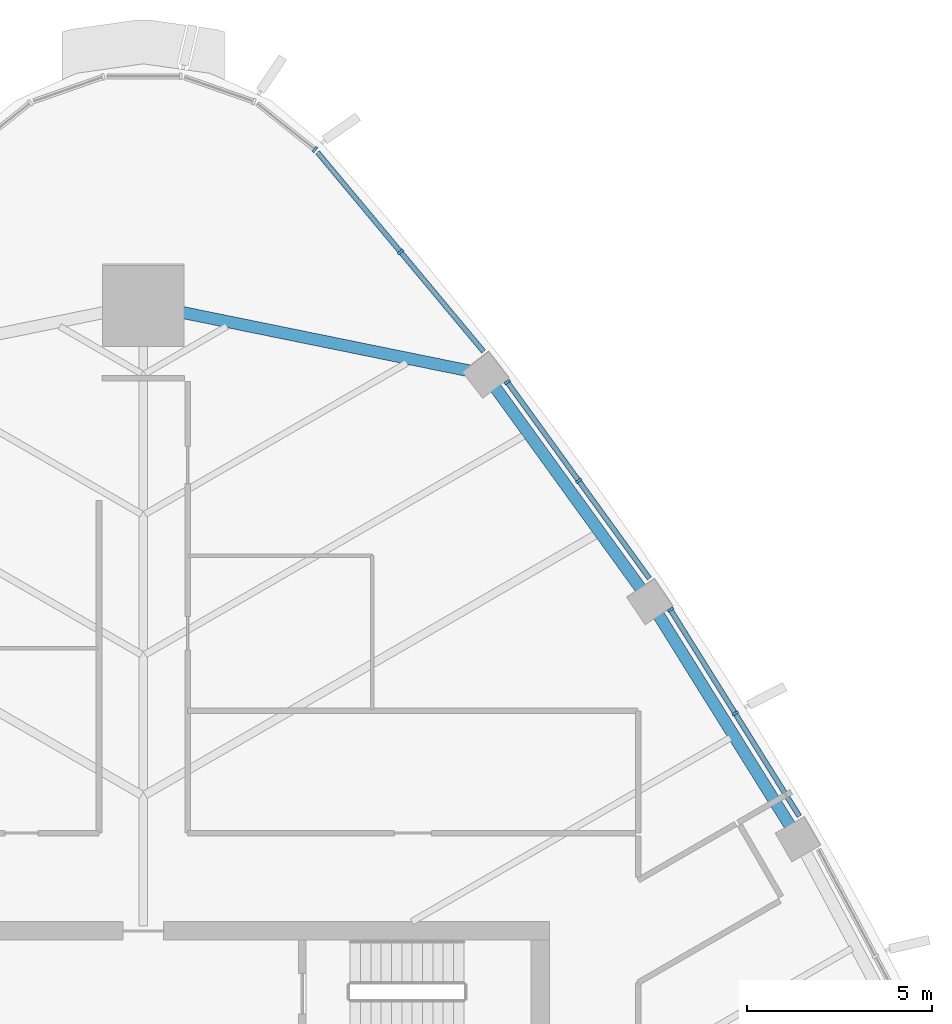
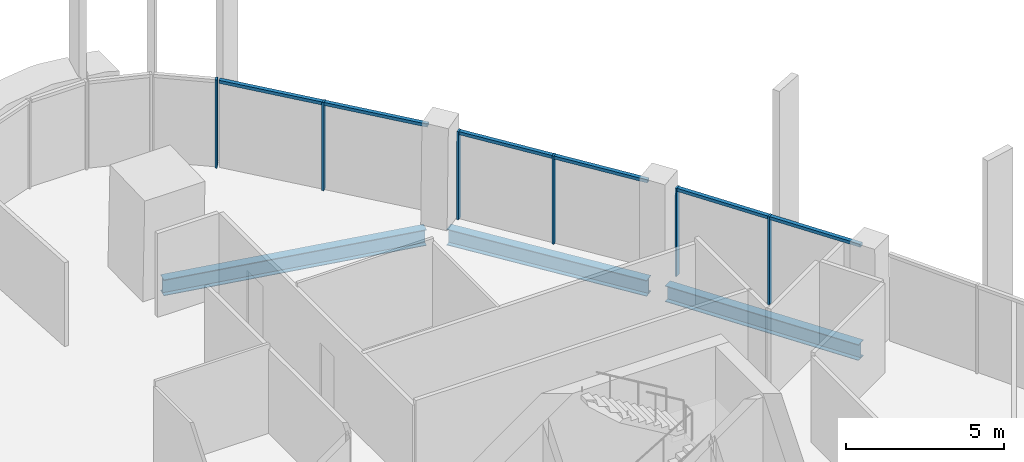
# One storey, part 6 of 18: 12 members, 3 beams, 4 elements without a shape of their own.
"""IFC4 building model written with IfcOpenShell, lengths in metres."""

from ifc_helpers import new_model, si_unit, direction, frame, origin, origin_2d, place, context, subcontext, project, spatial, rectangle, i_section, extrude, material, layer, layer_set, material_profile, profile_set, type_object, element, aggregate, save


model = new_model("IFC4")

# Units and contexts
model_context = context("Model", 3, precision=1e-05, world=origin(), true_north=direction((0.0, 1.0)))
body_context = subcontext(model_context, "Body", "Model", "MODEL_VIEW")
ifc_project = project(units=[si_unit("LENGTHUNIT", "METRE"), si_unit("AREAUNIT", "SQUARE_METRE"), si_unit("VOLUMEUNIT", "CUBIC_METRE"), si_unit("PLANEANGLEUNIT", "RADIAN"), si_unit("MASSUNIT", "GRAM", prefix="KILO")], contexts=[model_context])

# Site, building, storey
site_placement = place(None, origin())
site = spatial("IfcSite", under=ifc_project, at=site_placement, CompositionType="ELEMENT")
building_placement = place(site_placement, origin())
building = spatial("IfcBuilding", under=site, at=building_placement, Name="Sierra Prisma Convention Tower", CompositionType="ELEMENT")
storey_placement = place(building_placement, frame((0.0, 0.0, 263.0)))
storey = spatial("IfcBuildingStorey", under=building, at=storey_placement, Name="L59", CompositionType="ELEMENT", Elevation=263.0)

# Curtain wall, members
ifc_material_1 = material(Name="Aluminium and glass curtain wall", Category="aluminium")
ifc_layer = layer(ifc_material_1, 0.179931640625)
ifc_layer_set = layer_set([ifc_layer], Name="CW-1 Plain shaft curtain wall")
curtain_wall_type = type_object("IfcCurtainWallType", Name="CW-1 Plain shaft curtain wall", PredefinedType="NOTDEFINED", material=ifc_layer_set)
curtain_wall_1_placement = place(storey_placement, origin())
curtain_wall_1 = element("IfcCurtainWall", 1, at=curtain_wall_1_placement, inside=storey, type_object=curtain_wall_type, Name="CW-1 NE4 L59", PredefinedType="NOTDEFINED")
ifc_material_2 = material(Name="Aluminium 6063-T6 bronze anodised", Category="aluminium")
ifc_material_profile_1 = material_profile(ifc_material_2, rectangle(XDim=0.179931640625, YDim=0.070068359375, at=origin_2d()), Name="ALU MULLION 70x180")
ifc_profile_set_1 = profile_set([ifc_material_profile_1], Name="Aluminium 6063-T6 bronze anodised")
member_type_1 = type_object("IfcMemberType", Name="CW mullion bronze", PredefinedType="MULLION", material=ifc_profile_set_1)
member_1_placement = place(storey_placement, frame((16.025390625, 13.637451171875, 0.0), z_axis=(0.0, 0.0, 1.0), x_axis=(-0.84839082513, -0.529370388136, 0.0)))
member_1 = element("IfcMember", 2, at=member_1_placement, type_object=member_type_1, Name="CW-1 mullion NE4.2", PredefinedType="MULLION", context=body_context, shape_type="SweptSolid", body=[
    extrude(rectangle(XDim=0.179931640625, YDim=0.070068359375, at=origin_2d()), origin(), (0.0, 0.0, 1.0), 3.39990234375),
])
member_2_placement = place(storey_placement, frame((14.2705078125, 16.44970703125, 0.0), z_axis=(0.0, 0.0, 1.0), x_axis=(-0.84839082513, -0.529370388136, 0.0)))
member_2 = element("IfcMember", 3, at=member_2_placement, type_object=member_type_1, Name="CW-1 mullion NE4.3", PredefinedType="MULLION", context=body_context, shape_type="SweptSolid", body=[
    extrude(rectangle(XDim=0.179931640625, YDim=0.070068359375, at=origin_2d()), origin(), (0.0, 0.0, 1.0), 3.39990234375),
])

curtain_wall_2_placement = place(storey_placement, origin())
curtain_wall_2 = element("IfcCurtainWall", 4, at=curtain_wall_2_placement, inside=storey, type_object=curtain_wall_type, Name="CW-1 NE5 L59", PredefinedType="NOTDEFINED")
member_3_placement = place(storey_placement, frame((11.788818359375, 19.9375, 0.0), z_axis=(0.0, 0.0, 1.0), x_axis=(-0.810156522746, -0.586213620323, 0.0)))
member_3 = element("IfcMember", 5, at=member_3_placement, type_object=member_type_1, Name="CW-1 mullion NE5.2", PredefinedType="MULLION", context=body_context, shape_type="SweptSolid", body=[
    extrude(rectangle(XDim=0.179931640625, YDim=0.070068359375, at=origin_2d()), origin(), (0.0, 0.0, 1.0), 3.39990234375),
])
member_4_placement = place(storey_placement, frame((9.854248046875, 22.61083984375, 0.0), z_axis=(0.0, 0.0, 1.0), x_axis=(-0.810156522746, -0.586213620323, 0.0)))
member_4 = element("IfcMember", 6, at=member_4_placement, type_object=member_type_1, Name="CW-1 mullion NE5.3", PredefinedType="MULLION", context=body_context, shape_type="SweptSolid", body=[
    extrude(rectangle(XDim=0.179931640625, YDim=0.070068359375, at=origin_2d()), origin(), (0.0, 0.0, 1.0), 3.39990234375),
])

# Curtain wall, member
curtain_wall_3_placement = place(storey_placement, origin())
curtain_wall_3 = element("IfcCurtainWall", 7, at=curtain_wall_3_placement, inside=storey, type_object=curtain_wall_type, Name="CW-1 NE6 L59", PredefinedType="NOTDEFINED")
member_5_placement = place(storey_placement, frame((6.96435546875, 26.134033203125, 0.0), z_axis=(0.0, 0.0, 1.0), x_axis=(-0.76812014371, -0.640305743241, 0.0)))
member_5 = element("IfcMember", 8, at=member_5_placement, type_object=member_type_1, Name="CW-1 mullion NE6.2", PredefinedType="MULLION", context=body_context, shape_type="SweptSolid", body=[
    extrude(rectangle(XDim=0.179931640625, YDim=0.070068359375, at=origin_2d()), origin(), (0.0, 0.0, 1.0), 3.39990234375),
])

curtain_wall_4_placement = place(storey_placement, origin())
curtain_wall_4 = element("IfcCurtainWall", 9, at=curtain_wall_4_placement, inside=storey, type_object=curtain_wall_type, Name="CW-1 N1 L59", PredefinedType="NOTDEFINED")
member_6_placement = place(storey_placement, frame((4.64404296875, 28.906494140625, 0.0), z_axis=(0.0, 0.0, 1.0), x_axis=(-0.623578964782, -0.781760369091, 0.0)))
member_6 = element("IfcMember", 10, at=member_6_placement, type_object=member_type_1, Name="CW-1 mullion N1.1", PredefinedType="MULLION", context=body_context, shape_type="SweptSolid", body=[
    extrude(rectangle(XDim=0.179931640625, YDim=0.070068359375, at=origin_2d()), origin(), (0.0, 0.0, 1.0), 3.39990234375),
])
aggregate(curtain_wall_4, [member_6])

# Member
ifc_material_3 = material(Name="Aluminium 6063-T6 bronze anodised", Category="aluminium")
ifc_material_profile_2 = material_profile(ifc_material_3, rectangle(XDim=0.139892578125, YDim=0.1201171875, at=origin_2d()), Name="ALU TRANSOM 120x140")
ifc_profile_set_2 = profile_set([ifc_material_profile_2], Name="Aluminium 6063-T6 bronze anodised")
member_type_2 = type_object("IfcMemberType", Name="CW transom bronze", PredefinedType="USERDEFINED", material=ifc_profile_set_2)
member_7_placement = place(storey_placement, frame((17.761474609375, 10.854736328125, 3.340087890625), z_axis=(-0.529376602052, 0.848386947802, 0.0), x_axis=(-0.848386947802, -0.529376602052, 0.0)))
member_7 = element("IfcMember", 11, at=member_7_placement, type_object=member_type_2, Name="CW-1 transom NE4.1", ObjectType="TRANSOM", PredefinedType="USERDEFINED", context=body_context, shape_type="SweptSolid", body=[
    extrude(rectangle(XDim=0.139892578125, YDim=0.1201171875, at=origin_2d()), origin(), (0.0, 0.0, 1.0), 3.244873046875),
])

member_8_placement = place(storey_placement, frame((16.0068359375, 13.6669921875, 3.340087890625), z_axis=(-0.529376602052, 0.848386947802, 0.0), x_axis=(-0.848386947802, -0.529376602052, 0.0)))
member_8 = element("IfcMember", 12, at=member_8_placement, type_object=member_type_2, Name="CW-1 transom NE4.2", ObjectType="TRANSOM", PredefinedType="USERDEFINED", context=body_context, shape_type="SweptSolid", body=[
    extrude(rectangle(XDim=0.139892578125, YDim=0.1201171875, at=origin_2d()), origin(), (0.0, 0.0, 1.0), 3.244873046875),
])

aggregate(curtain_wall_1, [member_1, member_2, member_7, member_8])

member_9_placement = place(storey_placement, frame((13.70263671875, 17.29248046875, 3.340087890625), z_axis=(-0.586196856002, 0.810168652821, 0.0), x_axis=(-0.810168652821, -0.586196856002, 0.0)))
member_9 = element("IfcMember", 13, at=member_9_placement, type_object=member_type_2, Name="CW-1 transom NE5.1", ObjectType="TRANSOM", PredefinedType="USERDEFINED", context=body_context, shape_type="SweptSolid", body=[
    extrude(rectangle(XDim=0.139892578125, YDim=0.1201171875, at=origin_2d()), origin(), (0.0, 0.0, 1.0), 3.229736328125),
])

member_10_placement = place(storey_placement, frame((11.768310546875, 19.9658203125, 3.340087890625), z_axis=(-0.586246467654, 0.810132754037, 0.0), x_axis=(-0.810132754037, -0.586246467654, 0.0)))
member_10 = element("IfcMember", 14, at=member_10_placement, type_object=member_type_2, Name="CW-1 transom NE5.2", ObjectType="TRANSOM", PredefinedType="USERDEFINED", context=body_context, shape_type="SweptSolid", body=[
    extrude(rectangle(XDim=0.139892578125, YDim=0.1201171875, at=origin_2d()), origin(), (0.0, 0.0, 1.0), 3.22998046875),
])

aggregate(curtain_wall_2, [member_3, member_4, member_9, member_10])

member_11_placement = place(storey_placement, frame((9.21240234375, 23.437255859375, 3.340087890625), z_axis=(-0.640294932448, 0.768129155469, 0.0), x_axis=(-0.768129155469, -0.640294932448, 0.0)))
member_11 = element("IfcMember", 15, at=member_11_placement, type_object=member_type_2, Name="CW-1 transom NE6.1", ObjectType="TRANSOM", PredefinedType="USERDEFINED", context=body_context, shape_type="SweptSolid", body=[
    extrude(rectangle(XDim=0.139892578125, YDim=0.1201171875, at=origin_2d()), origin(), (0.0, 0.0, 1.0), 3.475830078125),
])

member_12_placement = place(storey_placement, frame((6.94189453125, 26.1611328125, 3.340087890625), z_axis=(-0.640329479051, 0.768100356892, 0.0), x_axis=(-0.768100356892, -0.640329479051, 0.0)))
member_12 = element("IfcMember", 16, at=member_12_placement, type_object=member_type_2, Name="CW-1 transom NE6.2", ObjectType="TRANSOM", PredefinedType="USERDEFINED", context=body_context, shape_type="SweptSolid", body=[
    extrude(rectangle(XDim=0.139892578125, YDim=0.1201171875, at=origin_2d()), origin(), (0.0, 0.0, 1.0), 3.4755859375),
])

aggregate(curtain_wall_3, [member_5, member_11, member_12])

# Beams
ifc_material_4 = material(Name="Steel ASTM A992 Gr 50", Category="steel")
ifc_material_profile_3 = material_profile(ifc_material_4, i_section(OverallWidth=0.324951171875, OverallDepth=0.615966796875, WebThickness=0.013916015625, FlangeThickness=0.021484375, at=origin_2d()), Name="W610x174")
ifc_profile_set_3 = profile_set([ifc_material_profile_3], Name="Steel ASTM A992 Gr 50")
beam_type = type_object("IfcBeamType", Name="Spandrel beam W610x174", PredefinedType="BEAM", material=ifc_profile_set_3)
for number, where, z_axis, x_axis, name in (
    (17, (17.558837890625, 10.518798828125, -0.4580078125), (-0.52936519169, 0.848394067534, 0.0), (-0.848394067534, -0.52936519169, 0.0), "Spandrel L59-10"),
    (18, (13.5234375, 16.943359375, -0.4580078125), (-0.586198051697, 0.810167787675, 0.0), (-0.810167787675, -0.586198051697, 0.0), "Spandrel L59-11"),
):
    element("IfcBeam", number, at=place(storey_placement, frame(where, z_axis=z_axis, x_axis=x_axis)), inside=storey, type_object=beam_type, Name=name, PredefinedType="BEAM", context=body_context, shape_type="SweptSolid", body=[
        extrude(i_section(OverallWidth=0.324951171875, OverallDepth=0.615966796875, WebThickness=0.013916015625, FlangeThickness=0.021484375, at=origin_2d()), origin(), (0.0, 0.0, 1.0), 6.92724609375),
    ])
beam_placement = place(storey_placement, frame((8.805419921875, 22.91748046875, -0.4580078125), z_axis=(-0.979878970828, 0.199592591368, 0.0), x_axis=(-0.199592591368, -0.979878970828, 0.0)))
element("IfcBeam", 19, at=beam_placement, inside=storey, type_object=beam_type, Name="Spandrel L59-12", PredefinedType="BEAM", context=body_context, shape_type="SweptSolid", body=[
    extrude(i_section(OverallWidth=0.324951171875, OverallDepth=0.615966796875, WebThickness=0.013916015625, FlangeThickness=0.021484375, at=origin_2d()), origin(), (0.0, 0.0, 1.0), 8.76171875),
])

save(model, "model.ifc")
